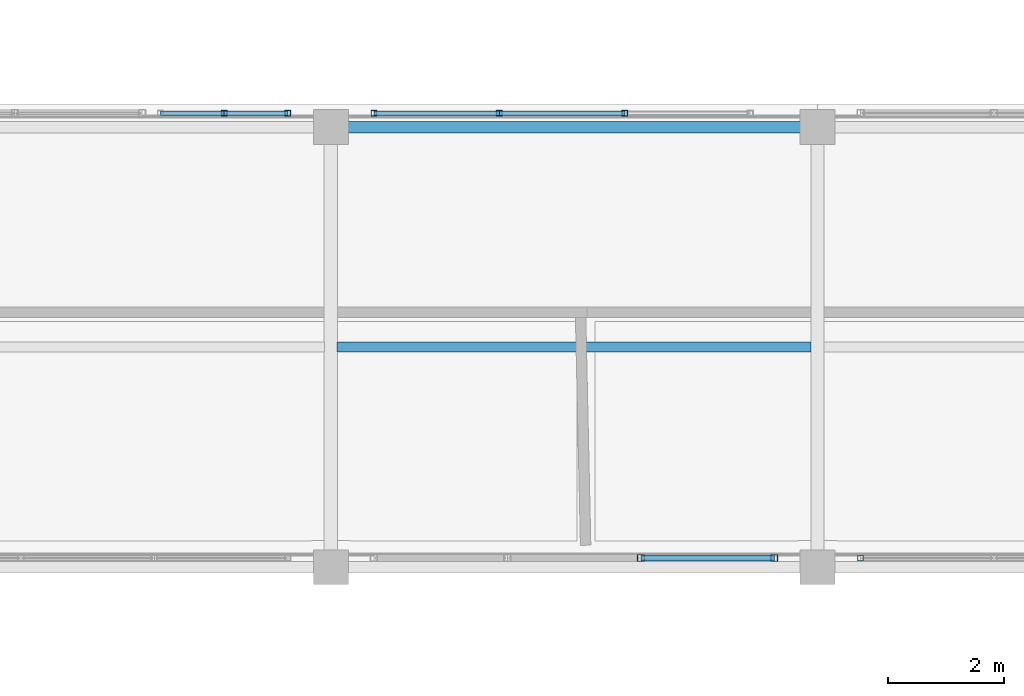
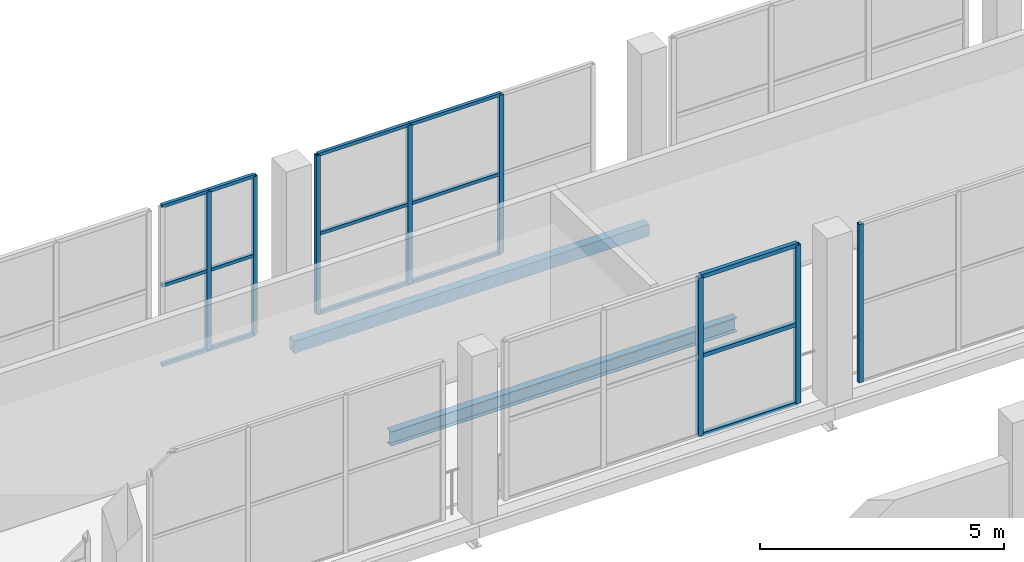
# One storey, part 39 of 151: 23 members, 2 beams, 4 elements without a shape of their own.
"""IFC4 building model written with IfcOpenShell, lengths in metres."""

from ifc_helpers import new_model, si_unit, direction, frame, origin, origin_2d, place, context, subcontext, project, spatial, hollow_rectangle, i_section, extrude, material, material_profile, profile_set, type_object, element, aggregate, save


model = new_model("IFC4")

# Units and contexts
model_context = context("Model", 3, precision=1e-05, world=origin(), true_north=direction((0.0, 1.0)))
body_context = subcontext(model_context, "Body", "Model", "MODEL_VIEW")
ifc_project = project(units=[si_unit("LENGTHUNIT", "METRE"), si_unit("AREAUNIT", "SQUARE_METRE"), si_unit("VOLUMEUNIT", "CUBIC_METRE"), si_unit("PLANEANGLEUNIT", "RADIAN"), si_unit("MASSUNIT", "GRAM", prefix="KILO")], contexts=[model_context])

# Site, building, storey
site_placement = place(None, origin())
site = spatial("IfcSite", under=ifc_project, at=site_placement, CompositionType="ELEMENT")
building_placement = place(site_placement, origin())
building = spatial("IfcBuilding", under=site, at=building_placement, Name="Zuvorla Pavilion Media Centre", CompositionType="ELEMENT")
storey_placement = place(building_placement, frame((0.0, 0.0, 13.800048828125)))
storey = spatial("IfcBuildingStorey", under=building, at=storey_placement, Name="L03", CompositionType="ELEMENT", Elevation=13.800048828125)

# Beams
ifc_material_1 = material(Name="Steel S355", Category="steel")
ifc_material_profile_1 = material_profile(ifc_material_1, hollow_rectangle(XDim=0.199951171875, YDim=0.300048828125, WallThickness=0.012451171875, at=origin_2d()), Name="RHS 300x200x12.5")
ifc_profile_set_1 = profile_set([ifc_material_profile_1], Name="Steel S355")
beam_type_1 = type_object("IfcBeamType", Name="BM-SP-RHS300", PredefinedType="SPANDREL", material=ifc_profile_set_1)
beam_1_placement = place(storey_placement, frame((83.60009765625, 51.60009765625, -0.407958984375), z_axis=(1.0, 0.0, 0.0), x_axis=(0.0, 1.0, 0.0)))
element("IfcBeam", 1, at=beam_1_placement, inside=storey, type_object=beam_type_1, Name="L03 spandrel SP01 1099", PredefinedType="SPANDREL", context=body_context, shape_type="SweptSolid", body=[
    extrude(hollow_rectangle(XDim=0.199951171875, YDim=0.300048828125, WallThickness=0.012451171875, at=origin_2d()), origin(), (0.0, 0.0, 1.0), 8.39990234375),
])
ifc_material_profile_2 = material_profile(ifc_material_1, i_section(OverallWidth=0.172119140625, OverallDepth=0.35791015625, WebThickness=0.008056640625, FlangeThickness=0.012939453125, FilletRadius=0.01025390625, at=origin_2d()), Name="UB 356x171x57")
ifc_profile_set_2 = profile_set([ifc_material_profile_2], Name="Steel S355")
beam_type_2 = type_object("IfcBeamType", Name="BM-UB356", PredefinedType="JOIST", material=ifc_profile_set_2)
beam_2_placement = place(storey_placement, frame((83.70947265625, 47.800048828125, -0.43701171875), z_axis=(1.0, 0.0, 0.0), x_axis=(0.0, 1.0, 0.0)))
element("IfcBeam", 2, at=beam_2_placement, inside=storey, type_object=beam_type_2, Name="L03 joist J03 1267", PredefinedType="JOIST", context=body_context, shape_type="SweptSolid", body=[
    extrude(i_section(OverallWidth=0.172119140625, OverallDepth=0.35791015625, WebThickness=0.008056640625, FlangeThickness=0.012939453125, FilletRadius=0.01025390625, at=origin_2d()), origin(), (0.0, 0.0, 1.0), 8.180908203125),
])

# Curtain wall, member
ifc_material_2 = material(Name="Unitised anodised aluminium and solar glass curtain wall", Category="aluminium")
curtain_wall_type_1 = type_object("IfcCurtainWallType", Name="CW-SYS-22", PredefinedType="USERDEFINED", material=ifc_material_2)
curtain_wall_1_placement = place(storey_placement, origin())
curtain_wall_1 = element("IfcCurtainWall", 3, at=curtain_wall_1_placement, inside=storey, type_object=curtain_wall_type_1, Name="L03 curtain wall CW22 140", ObjectType="CURTAIN WALL", PredefinedType="USERDEFINED")
ifc_material_3 = material(Name="Anodised aluminium 6063-T6", Category="aluminium")
ifc_material_profile_3 = material_profile(ifc_material_3, hollow_rectangle(XDim=0.10009765625, YDim=0.10009765625, WallThickness=0.00439453125, at=origin_2d()), Name="ALU MULL 100x100")
ifc_profile_set_3 = profile_set([ifc_material_profile_3], Name="Anodised aluminium 6063-T6")
member_type_1 = type_object("IfcMemberType", Name="CW-MULL-100", PredefinedType="MULLION", material=ifc_profile_set_3)
member_1_placement = place(storey_placement, frame((92.744384765625, 44.159912109375, 0.0), z_axis=(0.0, 0.0, 1.0), x_axis=(1.0, 0.0, 0.0)))
member_1 = element("IfcMember", 4, at=member_1_placement, type_object=member_type_1, Name="CW22 mullion 1", PredefinedType="MULLION", context=body_context, shape_type="SweptSolid", body=[
    extrude(hollow_rectangle(XDim=0.10009765625, YDim=0.10009765625, WallThickness=0.00439453125, at=origin_2d()), origin(), (0.0, 0.0, 1.0), 3.9599609375),
])
aggregate(curtain_wall_1, [member_1])

# Curtain wall, members
curtain_wall_type_2 = type_object("IfcCurtainWallType", Name="CW-SYS-50", PredefinedType="USERDEFINED", material=ifc_material_2)
curtain_wall_2_placement = place(storey_placement, origin())
curtain_wall_2 = element("IfcCurtainWall", 5, at=curtain_wall_2_placement, inside=storey, type_object=curtain_wall_type_2, Name="L03 curtain wall CW50 164", ObjectType="CURTAIN WALL", PredefinedType="USERDEFINED")
member_2_placement = place(storey_placement, frame((81.7578125, 51.840087890625, 0.0), z_axis=(0.0, 0.0, 1.0), x_axis=(1.0, 0.0, 0.0)))
member_2 = element("IfcMember", 6, at=member_2_placement, type_object=member_type_1, Name="CW50 mullion 2", PredefinedType="MULLION", context=body_context, shape_type="SweptSolid", body=[
    extrude(hollow_rectangle(XDim=0.10009765625, YDim=0.10009765625, WallThickness=0.00439453125, at=origin_2d()), origin(), (0.0, 0.0, 1.0), 3.9599609375),
])
member_3_placement = place(storey_placement, frame((82.855712890625, 51.840087890625, 0.0), z_axis=(0.0, 0.0, 1.0), x_axis=(1.0, 0.0, 0.0)))
member_3 = element("IfcMember", 7, at=member_3_placement, type_object=member_type_1, Name="CW50 mullion 3", PredefinedType="MULLION", context=body_context, shape_type="SweptSolid", body=[
    extrude(hollow_rectangle(XDim=0.10009765625, YDim=0.10009765625, WallThickness=0.00439453125, at=origin_2d()), origin(), (0.0, 0.0, 1.0), 3.9599609375),
])

curtain_wall_type_3 = type_object("IfcCurtainWallType", Name="CW-SYS-80", PredefinedType="USERDEFINED", material=ifc_material_2)
curtain_wall_3_placement = place(storey_placement, origin())
curtain_wall_3 = element("IfcCurtainWall", 8, at=curtain_wall_3_placement, inside=storey, type_object=curtain_wall_type_3, Name="L03 curtain wall CW80 165", ObjectType="CURTAIN WALL", PredefinedType="USERDEFINED")
member_4_placement = place(storey_placement, frame((84.34423828125, 51.840087890625, 0.0), z_axis=(0.0, 0.0, 1.0), x_axis=(1.0, 0.0, 0.0)))
member_4 = element("IfcMember", 9, at=member_4_placement, type_object=member_type_1, Name="CW80 mullion 1", PredefinedType="MULLION", context=body_context, shape_type="SweptSolid", body=[
    extrude(hollow_rectangle(XDim=0.10009765625, YDim=0.10009765625, WallThickness=0.00439453125, at=origin_2d()), origin(), (0.0, 0.0, 1.0), 3.9599609375),
])
member_5_placement = place(storey_placement, frame((86.509521484375, 51.840087890625, 0.0), z_axis=(0.0, 0.0, 1.0), x_axis=(1.0, 0.0, 0.0)))
member_5 = element("IfcMember", 10, at=member_5_placement, type_object=member_type_1, Name="CW80 mullion 2", PredefinedType="MULLION", context=body_context, shape_type="SweptSolid", body=[
    extrude(hollow_rectangle(XDim=0.10009765625, YDim=0.10009765625, WallThickness=0.00439453125, at=origin_2d()), origin(), (0.0, 0.0, 1.0), 3.9599609375),
])
member_6_placement = place(storey_placement, frame((88.6748046875, 51.840087890625, 0.0), z_axis=(0.0, 0.0, 1.0), x_axis=(1.0, 0.0, 0.0)))
member_6 = element("IfcMember", 11, at=member_6_placement, type_object=member_type_1, Name="CW80 mullion 3", PredefinedType="MULLION", context=body_context, shape_type="SweptSolid", body=[
    extrude(hollow_rectangle(XDim=0.10009765625, YDim=0.10009765625, WallThickness=0.00439453125, at=origin_2d()), origin(), (0.0, 0.0, 1.0), 3.9599609375),
])

curtain_wall_type_4 = type_object("IfcCurtainWallType", Name="CW-SYS-71", PredefinedType="USERDEFINED", material=ifc_material_2)
curtain_wall_4_placement = place(storey_placement, origin())
curtain_wall_4 = element("IfcCurtainWall", 12, at=curtain_wall_4_placement, inside=storey, type_object=curtain_wall_type_4, Name="L03 curtain wall CW71 139", ObjectType="CURTAIN WALL", PredefinedType="USERDEFINED")
ifc_material_profile_4 = material_profile(ifc_material_3, hollow_rectangle(XDim=0.1201171875, YDim=0.1201171875, WallThickness=0.0048828125, at=origin_2d()), Name="ALU MULL 120x120")
ifc_profile_set_4 = profile_set([ifc_material_profile_4], Name="Anodised aluminium 6063-T6")
member_type_2 = type_object("IfcMemberType", Name="CW-MULL-120", PredefinedType="MULLION", material=ifc_profile_set_4)
member_7_placement = place(storey_placement, frame((88.951904296875, 44.159912109375, 0.0), z_axis=(0.0, 0.0, 1.0), x_axis=(1.0, 0.0, 0.0)))
member_7 = element("IfcMember", 13, at=member_7_placement, type_object=member_type_2, Name="CW71 mullion 3", PredefinedType="MULLION", context=body_context, shape_type="SweptSolid", body=[
    extrude(hollow_rectangle(XDim=0.1201171875, YDim=0.1201171875, WallThickness=0.0048828125, at=origin_2d()), origin(), (0.0, 0.0, 1.0), 3.9599609375),
])
member_8_placement = place(storey_placement, frame((91.255615234375, 44.159912109375, 0.0), z_axis=(0.0, 0.0, 1.0), x_axis=(1.0, 0.0, 0.0)))
member_8 = element("IfcMember", 14, at=member_8_placement, type_object=member_type_2, Name="CW71 mullion 4", PredefinedType="MULLION", context=body_context, shape_type="SweptSolid", body=[
    extrude(hollow_rectangle(XDim=0.1201171875, YDim=0.1201171875, WallThickness=0.0048828125, at=origin_2d()), origin(), (0.0, 0.0, 1.0), 3.9599609375),
])
ifc_material_profile_5 = material_profile(ifc_material_3, hollow_rectangle(XDim=0.10009765625, YDim=0.10009765625, WallThickness=0.00439453125, at=origin_2d()), Name="ALU TRAN 100x100")
ifc_profile_set_5 = profile_set([ifc_material_profile_5], Name="Anodised aluminium 6063-T6")
member_type_3 = type_object("IfcMemberType", Name="CW-TRAN-100", PredefinedType="USERDEFINED", material=ifc_profile_set_5)
member_9_placement = place(storey_placement, frame((88.951904296875, 44.159912109375, 0.0), z_axis=(1.0, 0.0, 0.0), x_axis=(0.0, 1.0, 0.0)))
member_9 = element("IfcMember", 15, at=member_9_placement, type_object=member_type_3, Name="CW71 transom 3.1", ObjectType="TRANSOM", PredefinedType="USERDEFINED", context=body_context, shape_type="SweptSolid", body=[
    extrude(hollow_rectangle(XDim=0.10009765625, YDim=0.10009765625, WallThickness=0.00439453125, at=origin_2d()), origin(), (0.0, 0.0, 1.0), 2.3037109375),
])
member_10_placement = place(storey_placement, frame((88.951904296875, 44.159912109375, 1.97998046875), z_axis=(1.0, 0.0, 0.0), x_axis=(0.0, 1.0, 0.0)))
member_10 = element("IfcMember", 16, at=member_10_placement, type_object=member_type_3, Name="CW71 transom 3.2", ObjectType="TRANSOM", PredefinedType="USERDEFINED", context=body_context, shape_type="SweptSolid", body=[
    extrude(hollow_rectangle(XDim=0.10009765625, YDim=0.10009765625, WallThickness=0.00439453125, at=origin_2d()), origin(), (0.0, 0.0, 1.0), 2.3037109375),
])
member_11_placement = place(storey_placement, frame((88.951904296875, 44.159912109375, 3.9599609375), z_axis=(1.0, 0.0, 0.0), x_axis=(0.0, 1.0, 0.0)))
member_11 = element("IfcMember", 17, at=member_11_placement, type_object=member_type_3, Name="CW71 transom 3.3", ObjectType="TRANSOM", PredefinedType="USERDEFINED", context=body_context, shape_type="SweptSolid", body=[
    extrude(hollow_rectangle(XDim=0.10009765625, YDim=0.10009765625, WallThickness=0.00439453125, at=origin_2d()), origin(), (0.0, 0.0, 1.0), 2.3037109375),
])
aggregate(curtain_wall_4, [member_7, member_8, member_9, member_10, member_11])

# Member
ifc_material_profile_6 = material_profile(ifc_material_3, hollow_rectangle(XDim=0.080078125, YDim=0.080078125, WallThickness=0.00390625, at=origin_2d()), Name="ALU TRAN 80x80")
ifc_profile_set_6 = profile_set([ifc_material_profile_6], Name="Anodised aluminium 6063-T6")
member_type_4 = type_object("IfcMemberType", Name="CW-TRAN-80", PredefinedType="USERDEFINED", material=ifc_profile_set_6)
member_12_placement = place(storey_placement, frame((80.659912109375, 51.840087890625, 0.0), z_axis=(1.0, 0.0, 0.0), x_axis=(0.0, 1.0, 0.0)))
member_12 = element("IfcMember", 18, at=member_12_placement, type_object=member_type_4, Name="CW50 transom 1.1", ObjectType="TRANSOM", PredefinedType="USERDEFINED", context=body_context, shape_type="SweptSolid", body=[
    extrude(hollow_rectangle(XDim=0.080078125, YDim=0.080078125, WallThickness=0.00390625, at=origin_2d()), origin(), (0.0, 0.0, 1.0), 1.097900390625),
])

member_13_placement = place(storey_placement, frame((80.659912109375, 51.840087890625, 1.97998046875), z_axis=(1.0, 0.0, 0.0), x_axis=(0.0, 1.0, 0.0)))
member_13 = element("IfcMember", 19, at=member_13_placement, type_object=member_type_4, Name="CW50 transom 1.2", ObjectType="TRANSOM", PredefinedType="USERDEFINED", context=body_context, shape_type="SweptSolid", body=[
    extrude(hollow_rectangle(XDim=0.080078125, YDim=0.080078125, WallThickness=0.00390625, at=origin_2d()), origin(), (0.0, 0.0, 1.0), 1.097900390625),
])

member_14_placement = place(storey_placement, frame((80.659912109375, 51.840087890625, 3.9599609375), z_axis=(1.0, 0.0, 0.0), x_axis=(0.0, 1.0, 0.0)))
member_14 = element("IfcMember", 20, at=member_14_placement, type_object=member_type_4, Name="CW50 transom 1.3", ObjectType="TRANSOM", PredefinedType="USERDEFINED", context=body_context, shape_type="SweptSolid", body=[
    extrude(hollow_rectangle(XDim=0.080078125, YDim=0.080078125, WallThickness=0.00390625, at=origin_2d()), origin(), (0.0, 0.0, 1.0), 1.097900390625),
])

member_15_placement = place(storey_placement, frame((81.7578125, 51.840087890625, 0.0), z_axis=(1.0, 0.0, 0.0), x_axis=(0.0, 1.0, 0.0)))
member_15 = element("IfcMember", 21, at=member_15_placement, type_object=member_type_4, Name="CW50 transom 2.1", ObjectType="TRANSOM", PredefinedType="USERDEFINED", context=body_context, shape_type="SweptSolid", body=[
    extrude(hollow_rectangle(XDim=0.080078125, YDim=0.080078125, WallThickness=0.00390625, at=origin_2d()), origin(), (0.0, 0.0, 1.0), 1.097900390625),
])

member_16_placement = place(storey_placement, frame((81.7578125, 51.840087890625, 1.97998046875), z_axis=(1.0, 0.0, 0.0), x_axis=(0.0, 1.0, 0.0)))
member_16 = element("IfcMember", 22, at=member_16_placement, type_object=member_type_4, Name="CW50 transom 2.2", ObjectType="TRANSOM", PredefinedType="USERDEFINED", context=body_context, shape_type="SweptSolid", body=[
    extrude(hollow_rectangle(XDim=0.080078125, YDim=0.080078125, WallThickness=0.00390625, at=origin_2d()), origin(), (0.0, 0.0, 1.0), 1.097900390625),
])

member_17_placement = place(storey_placement, frame((81.7578125, 51.840087890625, 3.9599609375), z_axis=(1.0, 0.0, 0.0), x_axis=(0.0, 1.0, 0.0)))
member_17 = element("IfcMember", 23, at=member_17_placement, type_object=member_type_4, Name="CW50 transom 2.3", ObjectType="TRANSOM", PredefinedType="USERDEFINED", context=body_context, shape_type="SweptSolid", body=[
    extrude(hollow_rectangle(XDim=0.080078125, YDim=0.080078125, WallThickness=0.00390625, at=origin_2d()), origin(), (0.0, 0.0, 1.0), 1.097900390625),
])

aggregate(curtain_wall_2, [member_2, member_3, member_12, member_13, member_14, member_15, member_16, member_17])

member_18_placement = place(storey_placement, frame((84.34423828125, 51.840087890625, 0.0), z_axis=(1.0, 0.0, 0.0), x_axis=(0.0, 1.0, 0.0)))
member_18 = element("IfcMember", 24, at=member_18_placement, type_object=member_type_4, Name="CW80 transom 1.1", ObjectType="TRANSOM", PredefinedType="USERDEFINED", context=body_context, shape_type="SweptSolid", body=[
    extrude(hollow_rectangle(XDim=0.080078125, YDim=0.080078125, WallThickness=0.00390625, at=origin_2d()), origin(), (0.0, 0.0, 1.0), 2.165283203125),
])

member_19_placement = place(storey_placement, frame((84.34423828125, 51.840087890625, 1.97998046875), z_axis=(1.0, 0.0, 0.0), x_axis=(0.0, 1.0, 0.0)))
member_19 = element("IfcMember", 25, at=member_19_placement, type_object=member_type_4, Name="CW80 transom 1.2", ObjectType="TRANSOM", PredefinedType="USERDEFINED", context=body_context, shape_type="SweptSolid", body=[
    extrude(hollow_rectangle(XDim=0.080078125, YDim=0.080078125, WallThickness=0.00390625, at=origin_2d()), origin(), (0.0, 0.0, 1.0), 2.165283203125),
])

member_20_placement = place(storey_placement, frame((84.34423828125, 51.840087890625, 3.9599609375), z_axis=(1.0, 0.0, 0.0), x_axis=(0.0, 1.0, 0.0)))
member_20 = element("IfcMember", 26, at=member_20_placement, type_object=member_type_4, Name="CW80 transom 1.3", ObjectType="TRANSOM", PredefinedType="USERDEFINED", context=body_context, shape_type="SweptSolid", body=[
    extrude(hollow_rectangle(XDim=0.080078125, YDim=0.080078125, WallThickness=0.00390625, at=origin_2d()), origin(), (0.0, 0.0, 1.0), 2.165283203125),
])

member_21_placement = place(storey_placement, frame((86.509521484375, 51.840087890625, 0.0), z_axis=(1.0, 0.0, 0.0), x_axis=(0.0, 1.0, 0.0)))
member_21 = element("IfcMember", 27, at=member_21_placement, type_object=member_type_4, Name="CW80 transom 2.1", ObjectType="TRANSOM", PredefinedType="USERDEFINED", context=body_context, shape_type="SweptSolid", body=[
    extrude(hollow_rectangle(XDim=0.080078125, YDim=0.080078125, WallThickness=0.00390625, at=origin_2d()), origin(), (0.0, 0.0, 1.0), 2.165283203125),
])

member_22_placement = place(storey_placement, frame((86.509521484375, 51.840087890625, 1.97998046875), z_axis=(1.0, 0.0, 0.0), x_axis=(0.0, 1.0, 0.0)))
member_22 = element("IfcMember", 28, at=member_22_placement, type_object=member_type_4, Name="CW80 transom 2.2", ObjectType="TRANSOM", PredefinedType="USERDEFINED", context=body_context, shape_type="SweptSolid", body=[
    extrude(hollow_rectangle(XDim=0.080078125, YDim=0.080078125, WallThickness=0.00390625, at=origin_2d()), origin(), (0.0, 0.0, 1.0), 2.165283203125),
])

member_23_placement = place(storey_placement, frame((86.509521484375, 51.840087890625, 3.9599609375), z_axis=(1.0, 0.0, 0.0), x_axis=(0.0, 1.0, 0.0)))
member_23 = element("IfcMember", 29, at=member_23_placement, type_object=member_type_4, Name="CW80 transom 2.3", ObjectType="TRANSOM", PredefinedType="USERDEFINED", context=body_context, shape_type="SweptSolid", body=[
    extrude(hollow_rectangle(XDim=0.080078125, YDim=0.080078125, WallThickness=0.00390625, at=origin_2d()), origin(), (0.0, 0.0, 1.0), 2.165283203125),
])

aggregate(curtain_wall_3, [member_4, member_5, member_6, member_18, member_19, member_20, member_21, member_22, member_23])

save(model, "model.ifc")
